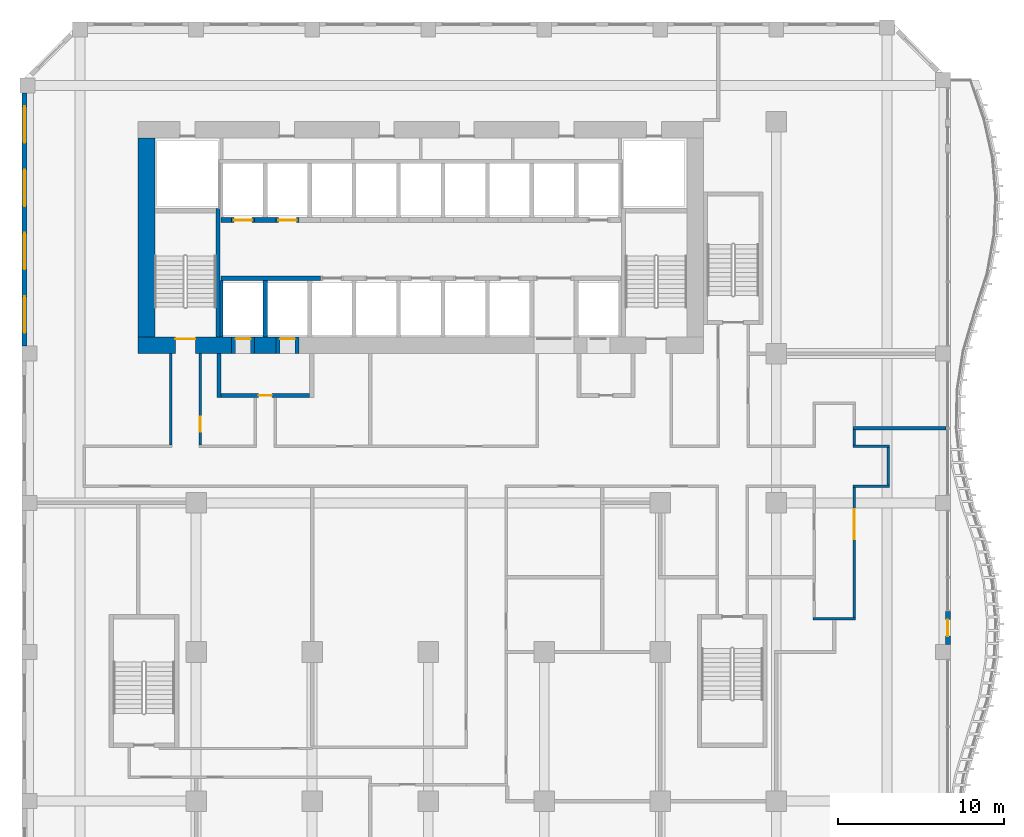
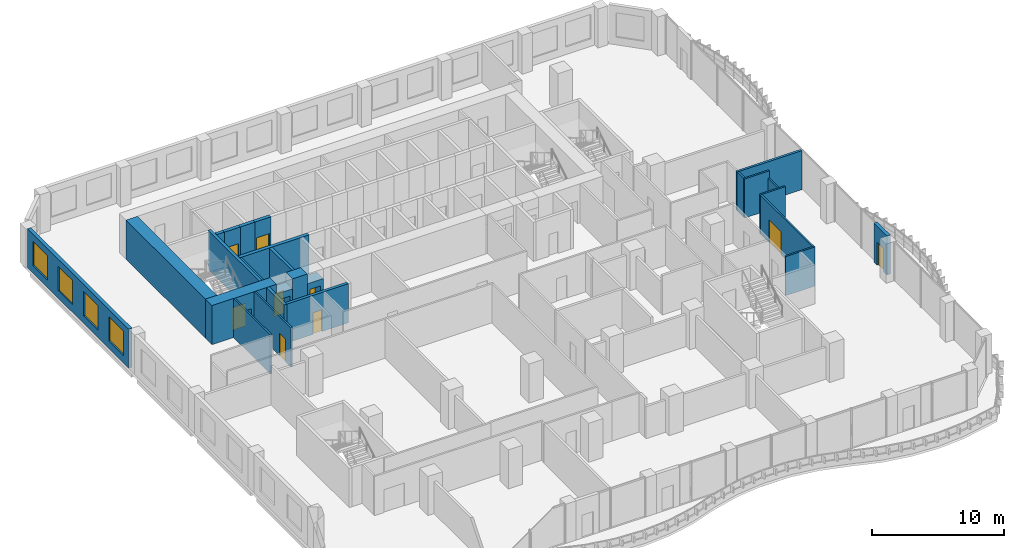
# One storey, part 14 of 21: 26 walls, 9 doors, 4 windows, 13 openings.
"""IFC4 building model written with IfcOpenShell, lengths in metres."""

from ifc_helpers import new_model, si_unit, direction, frame, frame_2d, origin, place, context, subcontext, project, spatial, rectangle, extrude, source, transform, mapped, material, layer, layer_set, type_object, element, fill, save


model = new_model("IFC4")

# Units and contexts
model_context = context("Model", 3, precision=1e-05, world=origin(), true_north=direction((0.0, 1.0)))
body_context = subcontext(model_context, "Body", "Model", "MODEL_VIEW")
ifc_project = project(units=[si_unit("LENGTHUNIT", "METRE"), si_unit("AREAUNIT", "SQUARE_METRE"), si_unit("VOLUMEUNIT", "CUBIC_METRE"), si_unit("PLANEANGLEUNIT", "RADIAN"), si_unit("MASSUNIT", "GRAM", prefix="KILO")], contexts=[model_context])

# Site, building, storey
site_placement = place(None, origin())
site = spatial("IfcSite", under=ifc_project, at=site_placement, CompositionType="ELEMENT")
building_placement = place(site_placement, origin())
building = spatial("IfcBuilding", under=site, at=building_placement, Name="Kilnfold Tower and Market Hall", CompositionType="ELEMENT")
storey_placement = place(building_placement, frame((0.0, 0.0, 91.199951171875)))
storey = spatial("IfcBuildingStorey", under=building, at=storey_placement, Name="L21", CompositionType="ELEMENT", Elevation=91.199951171875)

# Wall
ifc_material_1 = material(Name="Gypsum board on steel studs", Category="steel")
ifc_layer_1 = layer(ifc_material_1, 0.14990234375)
ifc_layer_set_1 = layer_set([ifc_layer_1], Name="Gypsum board on steel studs")
wall_type_1 = type_object("IfcWallType", Name="WALL CORRIDOR 150", PredefinedType="PARTITIONING", material=ifc_layer_set_1)
wall_1_placement = place(storey_placement, frame((-14.050048828125, 8.0, 0.0), z_axis=(0.0, 0.0, 1.0), x_axis=(0.0, -1.0, 0.0)))
element("IfcWall", 1, at=wall_1_placement, inside=storey, type_object=wall_type_1, Name="Partition LY14.9", PredefinedType="PARTITIONING", context=body_context, shape_type="SweptSolid", body=[
    extrude(rectangle(XDim=5.52490234375, YDim=0.14990234375, at=frame_2d((2.762451171875, 0.0))), origin(), (0.0, 0.0, 1.0), 3.60009765625),
])

# Wall, opening, door
wall_2_placement = place(storey_placement, frame((-12.25, 2.47509765625, 0.0), z_axis=(0.0, 0.0, 1.0), x_axis=(0.0, 1.0, 0.0)))
wall_2 = element("IfcWall", 2, at=wall_2_placement, inside=storey, type_object=wall_type_1, Name="Partition LY14.13", PredefinedType="PARTITIONING", context=body_context, shape_type="SweptSolid", body=[
    extrude(rectangle(XDim=5.52490234375, YDim=0.14990234375, at=frame_2d((2.762451171875, 0.0))), origin(), (0.0, 0.0, 1.0), 3.60009765625),
])
opening_1_placement = place(wall_2_placement, frame((0.803955078125, 0.0, 0.0)))
opening_1 = element("IfcOpeningElement", 3, at=opening_1_placement, cuts=wall_2, Name="Opening D2", PredefinedType="OPENING", context=body_context, shape_type="SweptSolid", body=[
    extrude(rectangle(XDim=0.89990234375, YDim=2.10009765625, at=frame_2d((0.449951171875, 1.050048828125))), frame((0.0, 0.0849609375, 0.0), z_axis=(0.0, -1.0, 0.0), x_axis=(1.0, 0.0, 0.0)), (0.0, 0.0, 1.0), 0.169921875),
])
ifc_material_2 = material(Name="Timber veneer door leaf in steel frame", Category="steel")
door_type_1 = type_object("IfcDoorType", Name="DOOR ROOM 900 X2100", OperationType="NOTDEFINED", PredefinedType="DOOR", material=ifc_material_2)
door_1_placement = place(opening_1_placement, origin())
door_1 = element("IfcDoor", 4, at=door_1_placement, inside=storey, type_object=door_type_1, Name="Door D2", OperationType="SINGLE_SWING_LEFT", OverallHeight=2.10009765625, OverallWidth=0.89990234375, PredefinedType="DOOR", context=body_context, shape_type="SweptSolid", body=[
    extrude(rectangle(XDim=0.89990234375, YDim=2.10009765625, at=frame_2d((0.449951171875, 1.050048828125))), frame((0.0, 0.02490234375, 0.0), z_axis=(0.0, -1.0, 0.0), x_axis=(1.0, 0.0, 0.0)), (0.0, 0.0, 1.0), 0.050048828125),
])
fill(opening_1, door_1)

# Walls
wall_3_placement = place(storey_placement, frame((24.72509765625, -8.0, 0.0), z_axis=(0.0, 0.0, 1.0), x_axis=(1.0, 0.0, 0.0)))
element("IfcWall", 5, at=wall_3_placement, inside=storey, type_object=wall_type_1, Name="Partition LY14.24", PredefinedType="PARTITIONING", context=body_context, shape_type="SweptSolid", body=[
    extrude(rectangle(XDim=2.5498046875, YDim=0.14990234375, at=frame_2d((1.27490234375, 0.0))), origin(), (0.0, 0.0, 1.0), 3.60009765625),
])
wall_4_placement = place(storey_placement, frame((27.199951171875, 2.47509765625, 0.0), z_axis=(0.0, 0.0, 1.0), x_axis=(0.0, 1.0, 0.0)))
element("IfcWall", 6, at=wall_4_placement, inside=storey, type_object=wall_type_1, Name="Partition LY14.40", PredefinedType="PARTITIONING", context=body_context, shape_type="SweptSolid", body=[
    extrude(rectangle(XDim=0.934814453125, YDim=0.14990234375, at=frame_2d((0.46728515625, 0.0))), origin(), (0.0, 0.0, 1.0), 3.60009765625),
])
wall_5_placement = place(storey_placement, frame((27.125, 2.39990234375, 0.0), z_axis=(0.0, 0.0, 1.0), x_axis=(1.0, 0.0, 0.0)))
element("IfcWall", 7, at=wall_5_placement, inside=storey, type_object=wall_type_1, Name="Partition LY14.41", PredefinedType="PARTITIONING", context=body_context, shape_type="SweptSolid", body=[
    extrude(rectangle(XDim=2.199951171875, YDim=0.14990234375, at=frame_2d((1.10009765625, 0.0))), origin(), (0.0, 0.0, 1.0), 3.60009765625),
])
wall_6_placement = place(storey_placement, frame((29.25, 0.074951171875, 0.0), z_axis=(0.0, 0.0, 1.0), x_axis=(0.0, 1.0, 0.0)))
element("IfcWall", 8, at=wall_6_placement, inside=storey, type_object=wall_type_1, Name="Partition LY14.42", PredefinedType="PARTITIONING", context=body_context, shape_type="SweptSolid", body=[
    extrude(rectangle(XDim=2.25, YDim=0.14990234375, at=frame_2d((1.125, 0.0))), origin(), (0.0, 0.0, 1.0), 2.949951171875),
])
wall_7_placement = place(storey_placement, frame((27.125, 0.0, 0.0), z_axis=(0.0, 0.0, 1.0), x_axis=(1.0, 0.0, 0.0)))
element("IfcWall", 9, at=wall_7_placement, inside=storey, type_object=wall_type_1, Name="Partition LY14.43", PredefinedType="PARTITIONING", context=body_context, shape_type="SweptSolid", body=[
    extrude(rectangle(XDim=2.199951171875, YDim=0.14990234375, at=frame_2d((1.10009765625, 0.0))), origin(), (0.0, 0.0, 1.0), 3.60009765625),
])

# Wall, opening, door
wall_8_placement = place(storey_placement, frame((27.199951171875, -7.925048828125, 0.0), z_axis=(0.0, 0.0, 1.0), x_axis=(0.0, 1.0, 0.0)))
wall_8 = element("IfcWall", 10, at=wall_8_placement, inside=storey, type_object=wall_type_1, Name="Partition LY14.44", PredefinedType="PARTITIONING", context=body_context, shape_type="SweptSolid", body=[
    extrude(rectangle(XDim=7.85009765625, YDim=0.14990234375, at=frame_2d((3.925048828125, 0.0))), origin(), (0.0, 0.0, 1.0), 3.60009765625),
])
opening_2_placement = place(wall_8_placement, frame((4.739990234375, 0.0, 0.0)))
opening_2 = element("IfcOpeningElement", 11, at=opening_2_placement, cuts=wall_8, Name="Opening D5", PredefinedType="OPENING", context=body_context, shape_type="SweptSolid", body=[
    extrude(rectangle(XDim=1.800048828125, YDim=2.10009765625, at=frame_2d((0.89990234375, 1.050048828125))), frame((0.0, 0.0849609375, 0.0), z_axis=(0.0, -1.0, 0.0), x_axis=(1.0, 0.0, 0.0)), (0.0, 0.0, 1.0), 0.169921875),
])
ifc_material_3 = material(Name="Timber veneer door leaf in steel frame", Category="steel")
door_type_2 = type_object("IfcDoorType", Name="DOOR DOUBLE 1800 X2100", OperationType="NOTDEFINED", PredefinedType="DOOR", material=ifc_material_3)
door_2_placement = place(opening_2_placement, origin())
door_2 = element("IfcDoor", 12, at=door_2_placement, inside=storey, type_object=door_type_2, Name="Door D5", OperationType="DOUBLE_DOOR_SINGLE_SWING", OverallHeight=2.10009765625, OverallWidth=1.800048828125, PredefinedType="DOOR", context=body_context, shape_type="SweptSolid", body=[
    extrude(rectangle(XDim=1.800048828125, YDim=2.10009765625, at=frame_2d((0.89990234375, 1.050048828125))), frame((0.0, 0.02490234375, 0.0), z_axis=(0.0, -1.0, 0.0), x_axis=(1.0, 0.0, 0.0)), (0.0, 0.0, 1.0), 0.050048828125),
])
fill(opening_2, door_2)

# Wall
ifc_material_4 = material(Name="Gypsum board on steel studs", Category="steel")
ifc_layer_2 = layer(ifc_material_4, 0.199951171875)
ifc_layer_set_2 = layer_set([ifc_layer_2], Name="Gypsum board on steel studs")
wall_type_2 = type_object("IfcWallType", Name="WALL PARTY 200", PredefinedType="PARTITIONING", material=ifc_layer_set_2)
wall_9_placement = place(storey_placement, frame((27.1259765625, 3.5, 0.0), z_axis=(0.0, 0.0, 1.0), x_axis=(1.0, 0.0, 0.0)))
element("IfcWall", 13, at=wall_9_placement, inside=storey, type_object=wall_type_2, Name="Partition LY14.76", PredefinedType="PARTITIONING", context=body_context, shape_type="SweptSolid", body=[
    extrude(rectangle(XDim=5.6240234375, YDim=0.199951171875, at=frame_2d((2.81201171875, 0.0))), origin(), (0.0, 0.0, 1.0), 3.60009765625),
])

# Wall, opening, door
ifc_material_5 = material(Name="Concrete C80", Category="concrete")
ifc_layer_3 = layer(ifc_material_5, 1.0)
ifc_layer_set_3 = layer_set([ifc_layer_3], Name="Concrete C80")
wall_type_3 = type_object("IfcWallType", Name="CORE WALL 1000 C80", PredefinedType="SHEAR", material=ifc_layer_set_3)
shared_shape_1 = source(origin(), body_context, "Body", "SweptSolid", [
    extrude(rectangle(XDim=5.6298828125, YDim=1.0, at=frame_2d((2.81494140625, 0.0))), origin(), (0.0, 0.0, 1.0), 3.60009765625),
])
wall_10_placement = place(storey_placement, frame((-16.0, 8.5, 0.0), z_axis=(0.0, 0.0, 1.0), x_axis=(1.0, 0.0, 0.0)))
wall_10 = element("IfcWall", 14, at=wall_10_placement, inside=storey, type_object=wall_type_3, Name="Core outer wall south", PredefinedType="SHEAR", context=body_context, shape_type="MappedRepresentation", body=[
    mapped(shared_shape_1, transform((0.0, 0.0, 0.0))),
])
opening_3_placement = place(wall_10_placement, frame((2.25, 0.0, 0.0)))
opening_3 = element("IfcOpeningElement", 15, at=opening_3_placement, cuts=wall_10, Name="Opening SD1", PredefinedType="OPENING", context=body_context, shape_type="SweptSolid", body=[
    extrude(rectangle(XDim=1.199951171875, YDim=2.10009765625, at=frame_2d((0.60009765625, 1.050048828125))), frame((0.0, 0.510009765625, 0.0), z_axis=(0.0, -1.0, 0.0), x_axis=(1.0, 0.0, 0.0)), (0.0, 0.0, 1.0), 1.02001953125),
])
ifc_material_6 = material(Name="Steel door set with fire-resisting leaf", Category="steel")
door_type_3 = type_object("IfcDoorType", Name="STAIR FLOOR DOOR 1200X2100", OperationType="NOTDEFINED", PredefinedType="DOOR", material=ifc_material_6)
door_3_placement = place(opening_3_placement, origin())
door_3 = element("IfcDoor", 16, at=door_3_placement, inside=storey, type_object=door_type_3, Name="Exit stair ST1 door", OperationType="DOUBLE_DOOR_SINGLE_SWING", OverallHeight=2.10009765625, OverallWidth=1.199951171875, PredefinedType="DOOR", context=body_context, shape_type="SweptSolid", body=[
    extrude(rectangle(XDim=1.199951171875, YDim=2.10009765625, at=frame_2d((0.60009765625, 1.050048828125))), frame((0.0, 0.40478515625, 0.0), z_axis=(0.0, -1.0, 0.0), x_axis=(1.0, 0.0, 0.0)), (0.0, 0.0, 1.0), 0.050048828125),
])
fill(opening_3, door_3)

# Walls
shared_shape_2 = source(origin(), body_context, "Body", "SweptSolid", [
    extrude(rectangle(XDim=1.280029296875, YDim=1.0, at=frame_2d((0.64013671875, 0.0))), origin(), (0.0, 0.0, 1.0), 3.60009765625),
])
wall_11_placement = place(storey_placement, frame((-8.969970703125, 8.5, 0.0), z_axis=(0.0, 0.0, 1.0), x_axis=(1.0, 0.0, 0.0)))
element("IfcWall", 17, at=wall_11_placement, inside=storey, type_object=wall_type_3, Name="Core outer wall south", PredefinedType="SHEAR", context=body_context, shape_type="MappedRepresentation", body=[
    mapped(shared_shape_2, transform((0.0, 0.0, 0.0))),
])
shared_shape_3 = source(origin(), body_context, "Body", "SweptSolid", [
    extrude(rectangle(XDim=12.0, YDim=1.0, at=frame_2d((6.0, 0.0))), origin(), (0.0, 0.0, 1.0), 3.60009765625),
])
wall_12_placement = place(storey_placement, frame((-15.5, 9.0, 0.0), z_axis=(0.0, 0.0, 1.0), x_axis=(0.0, 1.0, 0.0)))
element("IfcWall", 18, at=wall_12_placement, inside=storey, type_object=wall_type_3, Name="Core outer wall west", PredefinedType="SHEAR", context=body_context, shape_type="MappedRepresentation", body=[
    mapped(shared_shape_3, transform((0.0, 0.0, 0.0))),
])
ifc_material_7 = material(Name="Concrete C80", Category="concrete")
ifc_layer_4 = layer(ifc_material_7, 0.25)
ifc_layer_set_4 = layer_set([ifc_layer_4], Name="Concrete C80")
wall_type_4 = type_object("IfcWallType", Name="CORE WALL 250 C80", PredefinedType="SHEAR", material=ifc_layer_set_4)
shared_shape_4 = source(origin(), body_context, "Body", "SweptSolid", [
    extrude(rectangle(XDim=7.75, YDim=0.25, at=frame_2d((3.875, 0.0))), origin(), (0.0, 0.0, 1.0), 3.60009765625),
])
wall_13_placement = place(storey_placement, frame((-11.175048828125, 9.0, 0.0), z_axis=(0.0, 0.0, 1.0), x_axis=(0.0, 1.0, 0.0)))
element("IfcWall", 19, at=wall_13_placement, inside=storey, type_object=wall_type_4, Name="Stair enclosure ST1", PredefinedType="SHEAR", context=body_context, shape_type="MappedRepresentation", body=[
    mapped(shared_shape_4, transform((0.0, 0.0, 0.0))),
])
ifc_material_8 = material(Name="Concrete C80", Category="concrete")
ifc_layer_5 = layer(ifc_material_8, 0.300048828125)
ifc_layer_set_5 = layer_set([ifc_layer_5], Name="Concrete C80")
wall_type_5 = type_object("IfcWallType", Name="CORE WALL 300 C80", PredefinedType="SHEAR", material=ifc_layer_set_5)
shared_shape_5 = source(origin(), body_context, "Body", "SweptSolid", [
    extrude(rectangle(XDim=6.0, YDim=0.300048828125, at=frame_2d((3.0, 0.0))), origin(), (0.0, 0.0, 1.0), 3.60009765625),
])
wall_14_placement = place(storey_placement, frame((-11.010009765625, 12.550048828125, 0.0), z_axis=(0.0, 0.0, 1.0), x_axis=(1.0, 0.0, 0.0)))
element("IfcWall", 20, at=wall_14_placement, inside=storey, type_object=wall_type_5, Name="Core spine wall", PredefinedType="SHEAR", context=body_context, shape_type="MappedRepresentation", body=[
    mapped(shared_shape_5, transform((0.0, 0.0, 0.0))),
])
shared_shape_6 = source(origin(), body_context, "Body", "SweptSolid", [
    extrude(rectangle(XDim=1.280029296875, YDim=0.300048828125, at=frame_2d((0.64013671875, 0.0))), origin(), (0.0, 0.0, 1.0), 3.60009765625),
])
wall_15_placement = place(storey_placement, frame((-8.969970703125, 16.050048828125, 0.0), z_axis=(0.0, 0.0, 1.0), x_axis=(1.0, 0.0, 0.0)))
element("IfcWall", 21, at=wall_15_placement, inside=storey, type_object=wall_type_5, Name="Core spine wall", PredefinedType="SHEAR", context=body_context, shape_type="MappedRepresentation", body=[
    mapped(shared_shape_6, transform((0.0, 0.0, 0.0))),
])
shared_shape_7 = source(origin(), body_context, "Body", "SweptSolid", [
    extrude(rectangle(XDim=0.639892578125, YDim=0.300048828125, at=frame_2d((0.31982421875, 0.0))), origin(), (0.0, 0.0, 1.0), 3.60009765625),
])
wall_16_placement = place(storey_placement, frame((-11.010009765625, 16.050048828125, 0.0), z_axis=(0.0, 0.0, 1.0), x_axis=(1.0, 0.0, 0.0)))
element("IfcWall", 22, at=wall_16_placement, inside=storey, type_object=wall_type_5, Name="Core spine wall", PredefinedType="SHEAR", context=body_context, shape_type="MappedRepresentation", body=[
    mapped(shared_shape_7, transform((0.0, 0.0, 0.0))),
])

# Wall, opening, door
ifc_material_9 = material(Name="Precast concrete C50/60", Category="concrete")
ifc_layer_6 = layer(ifc_material_9, 0.300048828125)
ifc_layer_set_6 = layer_set([ifc_layer_6], Name="Precast concrete C50/60")
wall_type_6 = type_object("IfcWallType", Name="PRECAST WALL 300", PredefinedType="SOLIDWALL", material=ifc_layer_set_6)
shared_shape_8 = source(origin(), body_context, "Body", "SweptSolid", [
    extrude(rectangle(XDim=2.0, YDim=0.300048828125, at=frame_2d((1.0, 0.0))), origin(), (0.0, 0.0, 1.0), 3.60009765625),
])
wall_17_placement = place(storey_placement, frame((32.85009765625, -9.550048828125, 0.0), z_axis=(0.0, 0.0, 1.0), x_axis=(0.0, 1.0, 0.0)))
wall_17 = element("IfcWall", 23, at=wall_17_placement, inside=storey, type_object=wall_type_6, Name="External wall L21 E", PredefinedType="SOLIDWALL", context=body_context, shape_type="MappedRepresentation", body=[
    mapped(shared_shape_8, transform((0.0, 0.0, 0.0))),
])
opening_4_placement = place(wall_17_placement, frame((0.5, 0.0, 0.0)))
opening_4 = element("IfcOpeningElement", 24, at=opening_4_placement, cuts=wall_17, Name="Opening BD1", PredefinedType="OPENING", context=body_context, shape_type="SweptSolid", body=[
    extrude(rectangle(XDim=1.0, YDim=2.10009765625, at=frame_2d((0.5, 1.050048828125))), frame((0.0, 0.16015625, 0.0), z_axis=(0.0, -1.0, 0.0), x_axis=(1.0, 0.0, 0.0)), (0.0, 0.0, 1.0), 0.320068359375),
])
ifc_material_10 = material(Name="Aluminium frame and double glazing", Category="aluminium")
door_type_4 = type_object("IfcDoorType", Name="BALCONY DOOR 1000X2100", OperationType="NOTDEFINED", PredefinedType="DOOR", material=ifc_material_10)
door_4_placement = place(opening_4_placement, origin())
door_4 = element("IfcDoor", 25, at=door_4_placement, inside=storey, type_object=door_type_4, Name="Balcony door BD1 L21 E-1", OperationType="SINGLE_SWING_LEFT", OverallHeight=2.10009765625, OverallWidth=1.0, PredefinedType="DOOR", context=body_context, shape_type="SweptSolid", body=[
    extrude(rectangle(XDim=1.0, YDim=2.10009765625, at=frame_2d((0.5, 1.050048828125))), frame((0.0, 0.02490234375, 0.0), z_axis=(0.0, -1.0, 0.0), x_axis=(1.0, 0.0, 0.0)), (0.0, 0.0, 1.0), 0.050048828125),
])
fill(opening_4, door_4)

# Wall, openings, windows
shared_shape_9 = source(origin(), body_context, "Body", "SweptSolid", [
    extrude(rectangle(XDim=15.28173828125, YDim=0.300048828125, at=frame_2d((7.640869140625, 0.0))), origin(), (0.0, 0.0, 1.0), 3.60009765625),
])
wall_18_placement = place(storey_placement, frame((-22.85009765625, 23.731689453125, 0.0), z_axis=(0.0, 0.0, 1.0), x_axis=(0.0, -1.0, 0.0)))
wall_18 = element("IfcWall", 26, at=wall_18_placement, inside=storey, type_object=wall_type_6, Name="External wall L21 W", PredefinedType="SOLIDWALL", context=body_context, shape_type="MappedRepresentation", body=[
    mapped(shared_shape_9, transform((0.0, 0.0, 0.0))),
])
opening_5_placement = place(wall_18_placement, frame((0.810302734375, 0.0, 0.699951171875)))
opening_5 = element("IfcOpeningElement", 27, at=opening_5_placement, cuts=wall_18, Name="Opening W1", PredefinedType="OPENING", context=body_context, shape_type="SweptSolid", body=[
    extrude(rectangle(XDim=2.199951171875, YDim=2.25, at=frame_2d((1.10009765625, 1.125))), frame((0.0, 0.16015625, 0.0), z_axis=(0.0, -1.0, 0.0), x_axis=(1.0, 0.0, 0.0)), (0.0, 0.0, 1.0), 0.320068359375),
])
opening_6_placement = place(wall_18_placement, frame((4.630615234375, 0.0, 0.699951171875)))
opening_6 = element("IfcOpeningElement", 28, at=opening_6_placement, cuts=wall_18, Name="Opening W1", PredefinedType="OPENING", context=body_context, shape_type="SweptSolid", body=[
    extrude(rectangle(XDim=2.199951171875, YDim=2.25, at=frame_2d((1.10009765625, 1.125))), frame((0.0, 0.16015625, 0.0), z_axis=(0.0, -1.0, 0.0), x_axis=(1.0, 0.0, 0.0)), (0.0, 0.0, 1.0), 0.320068359375),
])
opening_7_placement = place(wall_18_placement, frame((8.451171875, 0.0, 0.699951171875)))
opening_7 = element("IfcOpeningElement", 29, at=opening_7_placement, cuts=wall_18, Name="Opening W1", PredefinedType="OPENING", context=body_context, shape_type="SweptSolid", body=[
    extrude(rectangle(XDim=2.199951171875, YDim=2.25, at=frame_2d((1.10009765625, 1.125))), frame((0.0, 0.16015625, 0.0), z_axis=(0.0, -1.0, 0.0), x_axis=(1.0, 0.0, 0.0)), (0.0, 0.0, 1.0), 0.320068359375),
])
opening_8_placement = place(wall_18_placement, frame((12.271484375, 0.0, 0.699951171875)))
opening_8 = element("IfcOpeningElement", 30, at=opening_8_placement, cuts=wall_18, Name="Opening W1", PredefinedType="OPENING", context=body_context, shape_type="SweptSolid", body=[
    extrude(rectangle(XDim=2.199951171875, YDim=2.25, at=frame_2d((1.10009765625, 1.125))), frame((0.0, 0.16015625, 0.0), z_axis=(0.0, -1.0, 0.0), x_axis=(1.0, 0.0, 0.0)), (0.0, 0.0, 1.0), 0.320068359375),
])
ifc_material_11 = material(Name="Aluminium frame and double glazing", Category="aluminium")
window_type = type_object("IfcWindowType", Name="WINDOW W1 2200X2250", PartitioningType="SINGLE_PANEL", PredefinedType="WINDOW", material=ifc_material_11)
window_1_placement = place(opening_5_placement, origin())
window_1 = element("IfcWindow", 31, at=window_1_placement, inside=storey, type_object=window_type, Name="Window W1 L21 W-1", OverallHeight=2.25, OverallWidth=2.199951171875, PartitioningType="SINGLE_PANEL", PredefinedType="WINDOW", context=body_context, shape_type="SweptSolid", body=[
    extrude(rectangle(XDim=2.199951171875, YDim=2.25, at=frame_2d((1.10009765625, 1.125))), frame((0.0, 0.030029296875, 0.0), z_axis=(0.0, -1.0, 0.0), x_axis=(1.0, 0.0, 0.0)), (0.0, 0.0, 1.0), 0.06005859375),
])
fill(opening_5, window_1)
window_2_placement = place(opening_6_placement, origin())
window_2 = element("IfcWindow", 32, at=window_2_placement, inside=storey, type_object=window_type, Name="Window W1 L21 W-2", OverallHeight=2.25, OverallWidth=2.199951171875, PartitioningType="SINGLE_PANEL", PredefinedType="WINDOW", context=body_context, shape_type="SweptSolid", body=[
    extrude(rectangle(XDim=2.199951171875, YDim=2.25, at=frame_2d((1.10009765625, 1.125))), frame((0.0, 0.030029296875, 0.0), z_axis=(0.0, -1.0, 0.0), x_axis=(1.0, 0.0, 0.0)), (0.0, 0.0, 1.0), 0.06005859375),
])
fill(opening_6, window_2)
window_3_placement = place(opening_7_placement, origin())
window_3 = element("IfcWindow", 33, at=window_3_placement, inside=storey, type_object=window_type, Name="Window W1 L21 W-3", OverallHeight=2.25, OverallWidth=2.199951171875, PartitioningType="SINGLE_PANEL", PredefinedType="WINDOW", context=body_context, shape_type="SweptSolid", body=[
    extrude(rectangle(XDim=2.199951171875, YDim=2.25, at=frame_2d((1.10009765625, 1.125))), frame((0.0, 0.030029296875, 0.0), z_axis=(0.0, -1.0, 0.0), x_axis=(1.0, 0.0, 0.0)), (0.0, 0.0, 1.0), 0.06005859375),
])
fill(opening_7, window_3)
window_4_placement = place(opening_8_placement, origin())
window_4 = element("IfcWindow", 34, at=window_4_placement, inside=storey, type_object=window_type, Name="Window W1 L21 W-4", OverallHeight=2.25, OverallWidth=2.199951171875, PartitioningType="SINGLE_PANEL", PredefinedType="WINDOW", context=body_context, shape_type="SweptSolid", body=[
    extrude(rectangle(XDim=2.199951171875, YDim=2.25, at=frame_2d((1.10009765625, 1.125))), frame((0.0, 0.030029296875, 0.0), z_axis=(0.0, -1.0, 0.0), x_axis=(1.0, 0.0, 0.0)), (0.0, 0.0, 1.0), 0.06005859375),
])
fill(opening_8, window_4)

# Wall, opening, door
ifc_material_12 = material(Name="Gypsum shaft wall system")
ifc_layer_7 = layer(ifc_material_12, 1.0)
ifc_layer_set_7 = layer_set([ifc_layer_7], Name="Gypsum shaft wall system")
wall_type_7 = type_object("IfcWallType", Name="LOBBY WALL 1000", PredefinedType="PARTITIONING", material=ifc_layer_set_7)
shared_shape_10 = source(origin(), body_context, "Body", "SweptSolid", [
    extrude(rectangle(XDim=1.400146484375, YDim=1.0, at=frame_2d((0.7001953125, 0.0))), origin(), (0.0, 0.0, 1.0), 2.699951171875),
])
wall_19_placement = place(storey_placement, frame((-10.3701171875, 8.5, 0.0), z_axis=(0.0, 0.0, 1.0), x_axis=(1.0, 0.0, 0.0)))
wall_19 = element("IfcWall", 35, at=wall_19_placement, inside=storey, type_object=wall_type_7, Name="Core wall infill", PredefinedType="PARTITIONING", context=body_context, shape_type="MappedRepresentation", body=[
    mapped(shared_shape_10, transform((0.0, 0.0, 0.0))),
])
opening_9_placement = place(wall_19_placement, frame((0.25, 0.0, 0.0)))
opening_9 = element("IfcOpeningElement", 36, at=opening_9_placement, cuts=wall_19, Name="Opening LD1", PredefinedType="OPENING", context=body_context, shape_type="SweptSolid", body=[
    extrude(rectangle(XDim=0.89990234375, YDim=2.10009765625, at=frame_2d((0.449951171875, 1.050048828125))), frame((0.0, 0.510009765625, 0.0), z_axis=(0.0, -1.0, 0.0), x_axis=(1.0, 0.0, 0.0)), (0.0, 0.0, 1.0), 1.02001953125),
])
ifc_material_13 = material(Name="Steel door set with fire-resisting leaf", Category="steel")
door_type_5 = type_object("IfcDoorType", Name="FIREFIGHTING LANDING DOOR 900X2100", OperationType="NOTDEFINED", PredefinedType="DOOR", material=ifc_material_13)
door_5_placement = place(opening_9_placement, origin())
door_5 = element("IfcDoor", 37, at=door_5_placement, inside=storey, type_object=door_type_5, Name="Landing door FF1", OperationType="SLIDING_TO_LEFT", OverallHeight=2.10009765625, OverallWidth=0.89990234375, PredefinedType="DOOR", context=body_context, shape_type="SweptSolid", body=[
    extrude(rectangle(XDim=0.89990234375, YDim=2.10009765625, at=frame_2d((0.449951171875, 1.050048828125))), frame((0.0, 0.40478515625, 0.0), z_axis=(0.0, -1.0, 0.0), x_axis=(1.0, 0.0, 0.0)), (0.0, 0.0, 1.0), 0.050048828125),
])
fill(opening_9, door_5)

shared_shape_11 = source(origin(), body_context, "Body", "SweptSolid", [
    extrude(rectangle(XDim=1.39990234375, YDim=1.0, at=frame_2d((0.699951171875, 0.0))), origin(), (0.0, 0.0, 1.0), 2.699951171875),
])
wall_20_placement = place(storey_placement, frame((-7.68994140625, 8.5, 0.0), z_axis=(0.0, 0.0, 1.0), x_axis=(1.0, 0.0, 0.0)))
wall_20 = element("IfcWall", 38, at=wall_20_placement, inside=storey, type_object=wall_type_7, Name="Core wall infill", PredefinedType="PARTITIONING", context=body_context, shape_type="MappedRepresentation", body=[
    mapped(shared_shape_11, transform((0.0, 0.0, 0.0))),
])
opening_10_placement = place(wall_20_placement, frame((0.25, 0.0, 0.0)))
opening_10 = element("IfcOpeningElement", 39, at=opening_10_placement, cuts=wall_20, Name="Opening LD1", PredefinedType="OPENING", context=body_context, shape_type="SweptSolid", body=[
    extrude(rectangle(XDim=0.89990234375, YDim=2.10009765625, at=frame_2d((0.449951171875, 1.050048828125))), frame((0.0, 0.510009765625, 0.0), z_axis=(0.0, -1.0, 0.0), x_axis=(1.0, 0.0, 0.0)), (0.0, 0.0, 1.0), 1.02001953125),
])
door_6_placement = place(opening_10_placement, origin())
door_6 = element("IfcDoor", 40, at=door_6_placement, inside=storey, type_object=door_type_5, Name="Landing door FF2", OperationType="SLIDING_TO_RIGHT", OverallHeight=2.10009765625, OverallWidth=0.89990234375, PredefinedType="DOOR", context=body_context, shape_type="SweptSolid", body=[
    extrude(rectangle(XDim=0.89990234375, YDim=2.10009765625, at=frame_2d((0.449951171875, 1.050048828125))), frame((0.0, 0.40478515625, 0.0), z_axis=(0.0, -1.0, 0.0), x_axis=(1.0, 0.0, 0.0)), (0.0, 0.0, 1.0), 0.050048828125),
])
fill(opening_10, door_6)

ifc_material_14 = material(Name="Gypsum shaft wall system")
ifc_layer_8 = layer(ifc_material_14, 0.300048828125)
ifc_layer_set_8 = layer_set([ifc_layer_8], Name="Gypsum shaft wall system")
wall_type_8 = type_object("IfcWallType", Name="SHAFT WALL 300", PredefinedType="PARTITIONING", material=ifc_layer_set_8)
shared_shape_12 = source(origin(), body_context, "Body", "SweptSolid", [
    extrude(rectangle(XDim=1.39990234375, YDim=0.300048828125, at=frame_2d((0.699951171875, 0.0))), origin(), (0.0, 0.0, 1.0), 3.60009765625),
])
wall_21_placement = place(storey_placement, frame((-7.68994140625, 16.050048828125, 0.0), z_axis=(0.0, 0.0, 1.0), x_axis=(1.0, 0.0, 0.0)))
wall_21 = element("IfcWall", 41, at=wall_21_placement, inside=storey, type_object=wall_type_8, Name="Lift shaft front wall", PredefinedType="PARTITIONING", context=body_context, shape_type="MappedRepresentation", body=[
    mapped(shared_shape_12, transform((0.0, 0.0, 0.0))),
])
opening_11_placement = place(wall_21_placement, frame((0.14990234375, 0.0, 0.0)))
opening_11 = element("IfcOpeningElement", 42, at=opening_11_placement, cuts=wall_21, Name="Opening LD2", PredefinedType="OPENING", context=body_context, shape_type="SweptSolid", body=[
    extrude(rectangle(XDim=1.10009765625, YDim=2.10009765625, at=frame_2d((0.550048828125, 1.050048828125))), frame((0.0, 0.16015625, 0.0), z_axis=(0.0, -1.0, 0.0), x_axis=(1.0, 0.0, 0.0)), (0.0, 0.0, 1.0), 0.320068359375),
])
ifc_material_15 = material(Name="Steel door set with fire-resisting leaf", Category="steel")
door_type_6 = type_object("IfcDoorType", Name="LANDING DOOR 1100X2100", OperationType="NOTDEFINED", PredefinedType="DOOR", material=ifc_material_15)
door_7_placement = place(opening_11_placement, origin())
door_7 = element("IfcDoor", 43, at=door_7_placement, inside=storey, type_object=door_type_6, Name="Landing door LR8", OperationType="DOUBLE_DOOR_SLIDING", OverallHeight=2.10009765625, OverallWidth=1.10009765625, PredefinedType="DOOR", context=body_context, shape_type="SweptSolid", body=[
    extrude(rectangle(XDim=1.10009765625, YDim=2.10009765625, at=frame_2d((0.550048828125, 1.050048828125))), frame((0.0, 0.02490234375, 0.0), z_axis=(0.0, -1.0, 0.0), x_axis=(1.0, 0.0, 0.0)), (0.0, 0.0, 1.0), 0.050048828125),
])
fill(opening_11, door_7)

shared_shape_13 = source(origin(), body_context, "Body", "SweptSolid", [
    extrude(rectangle(XDim=1.400146484375, YDim=0.300048828125, at=frame_2d((0.7001953125, 0.0))), origin(), (0.0, 0.0, 1.0), 3.60009765625),
])
wall_22_placement = place(storey_placement, frame((-10.3701171875, 16.050048828125, 0.0), z_axis=(0.0, 0.0, 1.0), x_axis=(1.0, 0.0, 0.0)))
wall_22 = element("IfcWall", 44, at=wall_22_placement, inside=storey, type_object=wall_type_8, Name="Lift shaft front wall", PredefinedType="PARTITIONING", context=body_context, shape_type="MappedRepresentation", body=[
    mapped(shared_shape_13, transform((0.0, 0.0, 0.0))),
])
opening_12_placement = place(wall_22_placement, frame((0.14990234375, 0.0, 0.0)))
opening_12 = element("IfcOpeningElement", 45, at=opening_12_placement, cuts=wall_22, Name="Opening LD2", PredefinedType="OPENING", context=body_context, shape_type="SweptSolid", body=[
    extrude(rectangle(XDim=1.10009765625, YDim=2.10009765625, at=frame_2d((0.550048828125, 1.050048828125))), frame((0.0, 0.16015625, 0.0), z_axis=(0.0, -1.0, 0.0), x_axis=(1.0, 0.0, 0.0)), (0.0, 0.0, 1.0), 0.320068359375),
])
door_8_placement = place(opening_12_placement, origin())
door_8 = element("IfcDoor", 46, at=door_8_placement, inside=storey, type_object=door_type_6, Name="Landing door LR7", OperationType="DOUBLE_DOOR_SLIDING", OverallHeight=2.10009765625, OverallWidth=1.10009765625, PredefinedType="DOOR", context=body_context, shape_type="SweptSolid", body=[
    extrude(rectangle(XDim=1.10009765625, YDim=2.10009765625, at=frame_2d((0.550048828125, 1.050048828125))), frame((0.0, 0.02490234375, 0.0), z_axis=(0.0, -1.0, 0.0), x_axis=(1.0, 0.0, 0.0)), (0.0, 0.0, 1.0), 0.050048828125),
])
fill(opening_12, door_8)

# Wall
ifc_material_16 = material(Name="Gypsum shaft wall system")
ifc_layer_9 = layer(ifc_material_16, 0.25)
ifc_layer_set_9 = layer_set([ifc_layer_9], Name="Gypsum shaft wall system")
wall_type_9 = type_object("IfcWallType", Name="LOBBY WALL 250", PredefinedType="PARTITIONING", material=ifc_layer_set_9)
shared_shape_14 = source(origin(), body_context, "Body", "SweptSolid", [
    extrude(rectangle(XDim=2.64990234375, YDim=0.25, at=frame_2d((1.324951171875, 0.0))), origin(), (0.0, 0.0, 1.0), 3.60009765625),
])
wall_23_placement = place(storey_placement, frame((-11.135009765625, 5.35009765625, 0.0), z_axis=(0.0, 0.0, 1.0), x_axis=(0.0, 1.0, 0.0)))
element("IfcWall", 47, at=wall_23_placement, inside=storey, type_object=wall_type_9, Name="Firefighting lobby wall", PredefinedType="PARTITIONING", context=body_context, shape_type="MappedRepresentation", body=[
    mapped(shared_shape_14, transform((0.0, 0.0, 0.0))),
])

# Wall, opening, door
shared_shape_15 = source(origin(), body_context, "Body", "SweptSolid", [
    extrude(rectangle(XDim=5.360107421875, YDim=0.25, at=frame_2d((2.68017578125, 0.0))), origin(), (0.0, 0.0, 1.0), 3.60009765625),
])
wall_24_placement = place(storey_placement, frame((-11.010009765625, 5.47509765625, 0.0), z_axis=(0.0, 0.0, 1.0), x_axis=(1.0, 0.0, 0.0)))
wall_24 = element("IfcWall", 48, at=wall_24_placement, inside=storey, type_object=wall_type_9, Name="Firefighting lobby wall", PredefinedType="PARTITIONING", context=body_context, shape_type="MappedRepresentation", body=[
    mapped(shared_shape_15, transform((0.0, 0.0, 0.0))),
])
opening_13_placement = place(wall_24_placement, frame((2.280029296875, 0.0, 0.0)))
opening_13 = element("IfcOpeningElement", 49, at=opening_13_placement, cuts=wall_24, Name="Opening VD1", PredefinedType="OPENING", context=body_context, shape_type="SweptSolid", body=[
    extrude(rectangle(XDim=0.800048828125, YDim=2.0, at=frame_2d((0.39990234375, 1.0))), frame((0.0, 0.135009765625, 0.0), z_axis=(0.0, -1.0, 0.0), x_axis=(1.0, 0.0, 0.0)), (0.0, 0.0, 1.0), 0.27001953125),
])
ifc_material_17 = material(Name="Steel door set with fire-resisting leaf", Category="steel")
door_type_7 = type_object("IfcDoorType", Name="FIREFIGHTING LOBBY DOOR 800X2000", OperationType="NOTDEFINED", PredefinedType="DOOR", material=ifc_material_17)
door_9_placement = place(opening_13_placement, origin())
door_9 = element("IfcDoor", 50, at=door_9_placement, inside=storey, type_object=door_type_7, Name="Firefighting lobby door", OperationType="SINGLE_SWING_LEFT", OverallHeight=2.0, OverallWidth=0.800048828125, PredefinedType="DOOR", context=body_context, shape_type="SweptSolid", body=[
    extrude(rectangle(XDim=0.800048828125, YDim=2.0, at=frame_2d((0.39990234375, 1.0))), frame((0.0, 0.02490234375, 0.0), z_axis=(0.0, -1.0, 0.0), x_axis=(1.0, 0.0, 0.0)), (0.0, 0.0, 1.0), 0.050048828125),
])
fill(opening_13, door_9)

# Walls
ifc_material_18 = material(Name="Gypsum shaft wall system")
ifc_layer_10 = layer(ifc_material_18, 0.25)
ifc_layer_set_10 = layer_set([ifc_layer_10], Name="Gypsum shaft wall system")
wall_type_10 = type_object("IfcWallType", Name="SHAFT WALL 250", PredefinedType="PARTITIONING", material=ifc_layer_set_10)
shared_shape_16 = source(origin(), body_context, "Body", "SweptSolid", [
    extrude(rectangle(XDim=3.39990234375, YDim=0.25, at=frame_2d((1.699951171875, 0.0))), origin(), (0.0, 0.0, 1.0), 3.60009765625),
])
wall_25_placement = place(storey_placement, frame((-8.330078125, 9.0, 0.0), z_axis=(0.0, 0.0, 1.0), x_axis=(0.0, 1.0, 0.0)))
element("IfcWall", 51, at=wall_25_placement, inside=storey, type_object=wall_type_10, Name="Lift shaft wall", PredefinedType="PARTITIONING", context=body_context, shape_type="MappedRepresentation", body=[
    mapped(shared_shape_16, transform((0.0, 0.0, 0.0))),
])
ifc_material_19 = material(Name="Gypsum shaft wall system")
ifc_layer_11 = layer(ifc_material_19, 0.1650390625)
ifc_layer_set_11 = layer_set([ifc_layer_11], Name="Gypsum shaft wall system")
wall_type_11 = type_object("IfcWallType", Name="SHAFT WALL 165", PredefinedType="PARTITIONING", material=ifc_layer_set_11)
shared_shape_17 = source(origin(), body_context, "Body", "SweptSolid", [
    extrude(rectangle(XDim=3.39990234375, YDim=0.1650390625, at=frame_2d((1.699951171875, 0.0))), origin(), (0.0, 0.0, 1.0), 3.60009765625),
])
wall_26_placement = place(storey_placement, frame((-10.967529296875, 9.0, 0.0), z_axis=(0.0, 0.0, 1.0), x_axis=(0.0, 1.0, 0.0)))
element("IfcWall", 52, at=wall_26_placement, inside=storey, type_object=wall_type_11, Name="Lift shaft wall", PredefinedType="PARTITIONING", context=body_context, shape_type="MappedRepresentation", body=[
    mapped(shared_shape_17, transform((0.0, 0.0, 0.0))),
])

save(model, "model.ifc")
